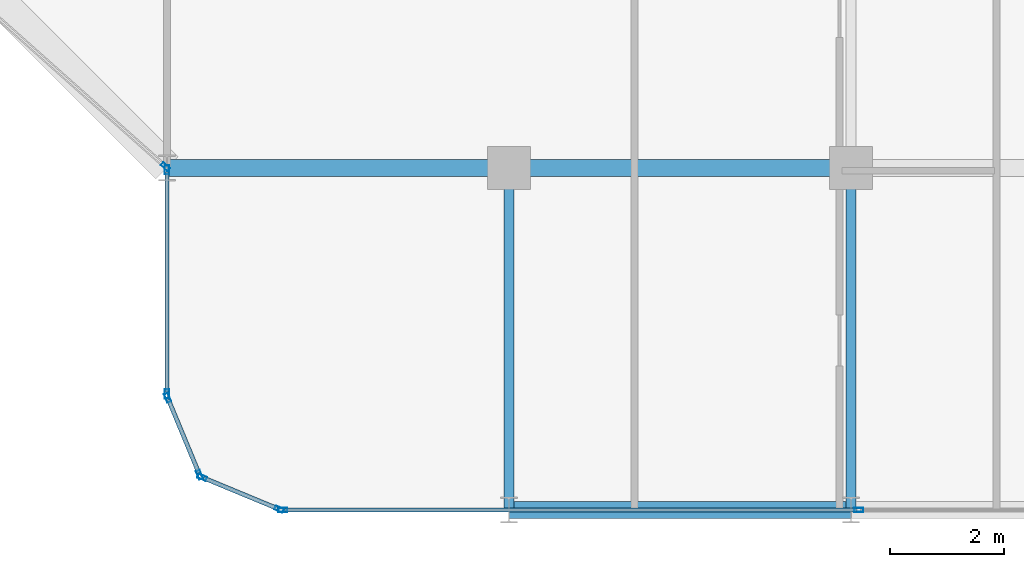
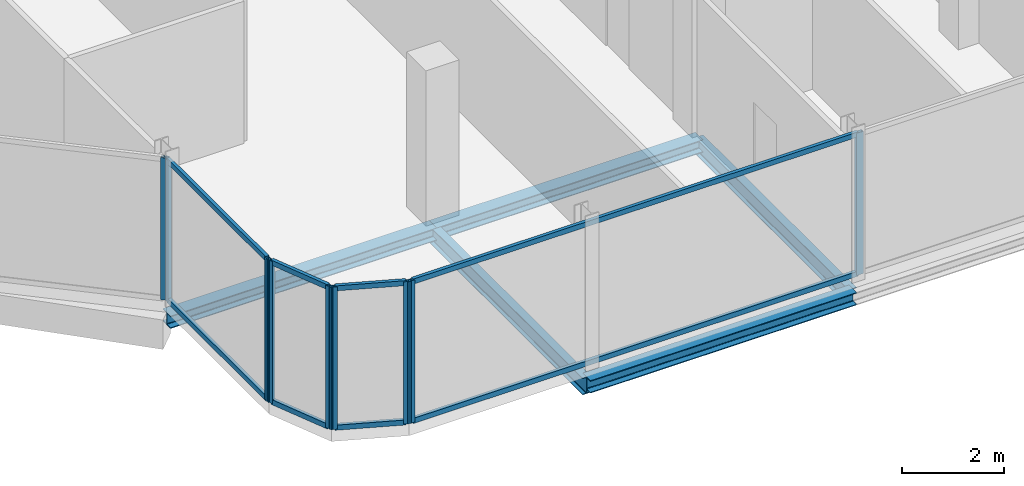
# One storey, part 6 of 29: 17 members, 5 beams, 5 elements without a shape of their own.
"""IFC4 building model written with IfcOpenShell, lengths in metres."""

from ifc_helpers import new_model, si_unit, direction, frame, origin, origin_2d, place, context, subcontext, project, spatial, hollow_rectangle, i_section, extrude, material, layer, layer_set, material_profile, profile_set, type_object, element, aggregate, save


model = new_model("IFC4")

# Units and contexts
model_context = context("Model", 3, precision=1e-05, world=origin(), true_north=direction((0.0, 1.0)))
body_context = subcontext(model_context, "Body", "Model", "MODEL_VIEW")
ifc_project = project(units=[si_unit("LENGTHUNIT", "METRE"), si_unit("AREAUNIT", "SQUARE_METRE"), si_unit("VOLUMEUNIT", "CUBIC_METRE"), si_unit("PLANEANGLEUNIT", "RADIAN"), si_unit("MASSUNIT", "GRAM", prefix="KILO")], contexts=[model_context])

# Site, building, storey
site_placement = place(None, origin())
site = spatial("IfcSite", under=ifc_project, at=site_placement, CompositionType="ELEMENT")
building_placement = place(site_placement, origin())
building = spatial("IfcBuilding", under=site, at=building_placement, Name="Keshet Zoharim Tower", CompositionType="ELEMENT")
storey_placement = place(building_placement, frame((0.0, 0.0, 222.800048828125)))
storey = spatial("IfcBuildingStorey", under=building, at=storey_placement, Name="L55", CompositionType="ELEMENT", Elevation=222.800048828125)

# Beams
ifc_material_1 = material(Name="Steel S355", Category="steel")
ifc_material_profile_1 = material_profile(ifc_material_1, i_section(OverallWidth=0.300048828125, OverallDepth=0.300048828125, WebThickness=0.010986328125, FlangeThickness=0.01904296875, FilletRadius=0.027099609375, at=origin_2d()), Name="HEB300")
ifc_profile_set_1 = profile_set([ifc_material_profile_1], Name="Steel S355")
beam_type_1 = type_object("IfcBeamType", Name="BM-PRI-HB300", PredefinedType="BEAM", material=ifc_profile_set_1)
for number, where, z_axis, x_axis, name in (
    (1, (27.0, 0.699951171875, -0.4599609375), (1.0, 0.0, 0.0), (0.0, 1.0, 0.0), "L55 Primary Girder X-001"),
    (2, (21.0, 6.699951171875, -0.4599609375), (1.0, 0.0, 0.0), (0.0, 1.0, 0.0), "L55 Primary Girder X-005"),
    (3, (27.0, 6.699951171875, -0.4599609375), (1.0, 0.0, 0.0), (0.0, 1.0, 0.0), "L55 Primary Girder X-006"),
):
    element("IfcBeam", number, at=place(storey_placement, frame(where, z_axis=z_axis, x_axis=x_axis)), inside=storey, type_object=beam_type_1, Name=name, PredefinedType="BEAM", context=body_context, shape_type="SweptSolid", body=[
        extrude(i_section(OverallWidth=0.300048828125, OverallDepth=0.300048828125, WebThickness=0.010986328125, FlangeThickness=0.01904296875, FilletRadius=0.027099609375, at=origin_2d()), origin(), (0.0, 0.0, 1.0), 6.0),
    ])
ifc_material_profile_2 = material_profile(ifc_material_1, i_section(OverallWidth=0.179931640625, OverallDepth=0.39990234375, WebThickness=0.008544921875, FlangeThickness=0.013427734375, FilletRadius=0.02099609375, at=origin_2d()), Name="IPE400")
ifc_profile_set_2 = profile_set([ifc_material_profile_2], Name="Steel S355")
beam_type_2 = type_object("IfcBeamType", Name="BM-PRI-IP400", PredefinedType="BEAM", material=ifc_profile_set_2)
for number, where, z_axis, x_axis, name in (
    (4, (27.0, 0.699951171875, -0.510009765625), (0.0, 1.0, 0.0), (-1.0, 0.0, 0.0), "L55 Primary Girder Y-004"),
    (5, (33.0, 0.699951171875, -0.510009765625), (0.0, 1.0, 0.0), (-1.0, 0.0, 0.0), "L55 Primary Girder Y-005"),
):
    element("IfcBeam", number, at=place(storey_placement, frame(where, z_axis=z_axis, x_axis=x_axis)), inside=storey, type_object=beam_type_2, Name=name, PredefinedType="BEAM", context=body_context, shape_type="SweptSolid", body=[
        extrude(i_section(OverallWidth=0.179931640625, OverallDepth=0.39990234375, WebThickness=0.008544921875, FlangeThickness=0.013427734375, FilletRadius=0.02099609375, at=origin_2d()), origin(), (0.0, 0.0, 1.0), 6.0),
    ])

# Curtain wall, members
ifc_material_2 = material(Name="Aluminium 6063-T6", Category="aluminium")
ifc_layer = layer(ifc_material_2, 0.139892578125)
ifc_layer_set = layer_set([ifc_layer], Name="Aluminium 6063-T6")
curtain_wall_type = type_object("IfcCurtainWallType", Name="CW-SYS-05", PredefinedType="NOTDEFINED", material=ifc_layer_set)
curtain_wall_1_placement = place(storey_placement, origin())
curtain_wall_1 = element("IfcCurtainWall", 6, at=curtain_wall_1_placement, inside=storey, type_object=curtain_wall_type, Name="L55 Unitised Curtain Wall 06 Part 3", PredefinedType="NOTDEFINED")
ifc_material_profile_3 = material_profile(ifc_material_2, hollow_rectangle(XDim=0.074951171875, YDim=0.159912109375, WallThickness=0.00390625, at=origin_2d()), Name="MUL-75x160")
ifc_profile_set_3 = profile_set([ifc_material_profile_3], Name="Aluminium 6063-T6")
member_type_1 = type_object("IfcMemberType", Name="CWM-M15", PredefinedType="MULLION", material=ifc_profile_set_3)
member_1_placement = place(storey_placement, frame((33.1376953125, 0.699951171875, 0.0), z_axis=(0.0, 0.0, 1.0), x_axis=(0.0, -1.0, 0.0)))
member_1 = element("IfcMember", 7, at=member_1_placement, type_object=member_type_1, Name="CW-05 mullion 2", PredefinedType="MULLION", context=body_context, shape_type="SweptSolid", body=[
    extrude(hollow_rectangle(XDim=0.074951171875, YDim=0.159912109375, WallThickness=0.00390625, at=origin_2d()), origin(), (0.0, 0.0, 1.0), 3.389892578125),
])
member_2_placement = place(storey_placement, frame((23.034912109375, 0.699951171875, 0.0), z_axis=(0.0, 0.0, 1.0), x_axis=(0.0, -1.0, 0.0)))
member_2 = element("IfcMember", 8, at=member_2_placement, type_object=member_type_1, Name="CW-05 mullion 3", PredefinedType="MULLION", context=body_context, shape_type="SweptSolid", body=[
    extrude(hollow_rectangle(XDim=0.074951171875, YDim=0.159912109375, WallThickness=0.00390625, at=origin_2d()), origin(), (0.0, 0.0, 1.0), 3.389892578125),
])

curtain_wall_2_placement = place(storey_placement, origin())
curtain_wall_2 = element("IfcCurtainWall", 9, at=curtain_wall_2_placement, inside=storey, type_object=curtain_wall_type, Name="L55 Unitised Curtain Wall 07", PredefinedType="NOTDEFINED")
member_3_placement = place(storey_placement, frame((22.9677734375, 0.71337890625, 0.0), z_axis=(0.0, 0.0, 1.0), x_axis=(-0.382851849847, -0.92380975372, 0.0)))
member_3 = element("IfcMember", 10, at=member_3_placement, type_object=member_type_1, Name="CW-05 mullion 1", PredefinedType="MULLION", context=body_context, shape_type="SweptSolid", body=[
    extrude(hollow_rectangle(XDim=0.074951171875, YDim=0.159912109375, WallThickness=0.00390625, at=origin_2d()), origin(), (0.0, 0.0, 1.0), 3.389892578125),
])
member_4_placement = place(storey_placement, frame((21.618408203125, 1.272705078125, 0.0), z_axis=(0.0, 0.0, 1.0), x_axis=(-0.382851849847, -0.92380975372, 0.0)))
member_4 = element("IfcMember", 11, at=member_4_placement, type_object=member_type_1, Name="CW-05 mullion 2", PredefinedType="MULLION", context=body_context, shape_type="SweptSolid", body=[
    extrude(hollow_rectangle(XDim=0.074951171875, YDim=0.159912109375, WallThickness=0.00390625, at=origin_2d()), origin(), (0.0, 0.0, 1.0), 3.389892578125),
])

curtain_wall_3_placement = place(storey_placement, origin())
curtain_wall_3 = element("IfcCurtainWall", 12, at=curtain_wall_3_placement, inside=storey, type_object=curtain_wall_type, Name="L55 Unitised Curtain Wall 08", PredefinedType="NOTDEFINED")
member_5_placement = place(storey_placement, frame((21.572509765625, 1.318359375, 0.0), z_axis=(0.0, 0.0, 1.0), x_axis=(-0.92380975372, -0.382851849847, 0.0)))
member_5 = element("IfcMember", 13, at=member_5_placement, type_object=member_type_1, Name="CW-05 mullion 1", PredefinedType="MULLION", context=body_context, shape_type="SweptSolid", body=[
    extrude(hollow_rectangle(XDim=0.074951171875, YDim=0.159912109375, WallThickness=0.00390625, at=origin_2d()), origin(), (0.0, 0.0, 1.0), 3.389892578125),
])
member_6_placement = place(storey_placement, frame((21.013427734375, 2.667724609375, 0.0), z_axis=(0.0, 0.0, 1.0), x_axis=(-0.92380975372, -0.382851849847, 0.0)))
member_6 = element("IfcMember", 14, at=member_6_placement, type_object=member_type_1, Name="CW-05 mullion 2", PredefinedType="MULLION", context=body_context, shape_type="SweptSolid", body=[
    extrude(hollow_rectangle(XDim=0.074951171875, YDim=0.159912109375, WallThickness=0.00390625, at=origin_2d()), origin(), (0.0, 0.0, 1.0), 3.389892578125),
])

curtain_wall_4_placement = place(storey_placement, origin())
curtain_wall_4 = element("IfcCurtainWall", 15, at=curtain_wall_4_placement, inside=storey, type_object=curtain_wall_type, Name="L55 Unitised Curtain Wall 09", PredefinedType="NOTDEFINED")
member_7_placement = place(storey_placement, frame((21.0, 2.735107421875, 0.0), z_axis=(0.0, 0.0, 1.0), x_axis=(-1.0, 0.0, 0.0)))
member_7 = element("IfcMember", 16, at=member_7_placement, type_object=member_type_1, Name="CW-05 mullion 1", PredefinedType="MULLION", context=body_context, shape_type="SweptSolid", body=[
    extrude(hollow_rectangle(XDim=0.074951171875, YDim=0.159912109375, WallThickness=0.00390625, at=origin_2d()), origin(), (0.0, 0.0, 1.0), 3.389892578125),
])
member_8_placement = place(storey_placement, frame((21.0, 6.6650390625, 0.0), z_axis=(0.0, 0.0, 1.0), x_axis=(-1.0, 0.0, 0.0)))
member_8 = element("IfcMember", 17, at=member_8_placement, type_object=member_type_1, Name="CW-05 mullion 2", PredefinedType="MULLION", context=body_context, shape_type="SweptSolid", body=[
    extrude(hollow_rectangle(XDim=0.074951171875, YDim=0.159912109375, WallThickness=0.00390625, at=origin_2d()), origin(), (0.0, 0.0, 1.0), 3.389892578125),
])

# Curtain wall, member
curtain_wall_5_placement = place(storey_placement, origin())
curtain_wall_5 = element("IfcCurtainWall", 18, at=curtain_wall_5_placement, inside=storey, type_object=curtain_wall_type, Name="L55 Unitised Curtain Wall 10", PredefinedType="NOTDEFINED")
member_9_placement = place(storey_placement, frame((20.973876953125, 6.72314453125, 0.0), z_axis=(0.0, 0.0, 1.0), x_axis=(-0.664363086114, -0.747409987764, 0.0)))
member_9 = element("IfcMember", 19, at=member_9_placement, type_object=member_type_1, Name="CW-05 mullion 1", PredefinedType="MULLION", context=body_context, shape_type="SweptSolid", body=[
    extrude(hollow_rectangle(XDim=0.074951171875, YDim=0.159912109375, WallThickness=0.00390625, at=origin_2d()), origin(), (0.0, 0.0, 1.0), 3.389892578125),
])
aggregate(curtain_wall_5, [member_9])

# Member
ifc_material_profile_4 = material_profile(ifc_material_2, hollow_rectangle(XDim=0.074951171875, YDim=0.1201171875, WallThickness=0.00390625, at=origin_2d()), Name="TRN-75x120")
ifc_profile_set_4 = profile_set([ifc_material_profile_4], Name="Aluminium 6063-T6")
member_type_2 = type_object("IfcMemberType", Name="CWT-T12", PredefinedType="USERDEFINED", material=ifc_profile_set_4)
member_10_placement = place(storey_placement, frame((33.1025390625, 0.699951171875, 0.034912109375), z_axis=(-1.0, 0.0, 0.0), x_axis=(0.0, -1.0, 0.0)))
member_10 = element("IfcMember", 20, at=member_10_placement, type_object=member_type_2, Name="CW-05 transom 2.1", ObjectType="TRANSOM", PredefinedType="USERDEFINED", context=body_context, shape_type="SweptSolid", body=[
    extrude(hollow_rectangle(XDim=0.074951171875, YDim=0.1201171875, WallThickness=0.00390625, at=origin_2d()), origin(), (0.0, 0.0, 1.0), 10.032470703125),
])

member_11_placement = place(storey_placement, frame((33.1025390625, 0.699951171875, 3.35498046875), z_axis=(-1.0, 0.0, 0.0), x_axis=(0.0, -1.0, 0.0)))
member_11 = element("IfcMember", 21, at=member_11_placement, type_object=member_type_2, Name="CW-05 transom 2.2", ObjectType="TRANSOM", PredefinedType="USERDEFINED", context=body_context, shape_type="SweptSolid", body=[
    extrude(hollow_rectangle(XDim=0.074951171875, YDim=0.1201171875, WallThickness=0.00390625, at=origin_2d()), origin(), (0.0, 0.0, 1.0), 10.032470703125),
])

aggregate(curtain_wall_1, [member_1, member_2, member_10, member_11])

member_12_placement = place(storey_placement, frame((22.935302734375, 0.726806640625, 0.034912109375), z_axis=(-0.92379209995, 0.382894445076, 0.0), x_axis=(-0.382894445076, -0.92379209995, 0.0)))
member_12 = element("IfcMember", 22, at=member_12_placement, type_object=member_type_2, Name="CW-05 transom 1.1", ObjectType="TRANSOM", PredefinedType="USERDEFINED", context=body_context, shape_type="SweptSolid", body=[
    extrude(hollow_rectangle(XDim=0.074951171875, YDim=0.1201171875, WallThickness=0.00390625, at=origin_2d()), origin(), (0.0, 0.0, 1.0), 1.390625),
])

member_13_placement = place(storey_placement, frame((22.935302734375, 0.726806640625, 3.35498046875), z_axis=(-0.92379209995, 0.382894445076, 0.0), x_axis=(-0.382894445076, -0.92379209995, 0.0)))
member_13 = element("IfcMember", 23, at=member_13_placement, type_object=member_type_2, Name="CW-05 transom 1.2", ObjectType="TRANSOM", PredefinedType="USERDEFINED", context=body_context, shape_type="SweptSolid", body=[
    extrude(hollow_rectangle(XDim=0.074951171875, YDim=0.1201171875, WallThickness=0.00390625, at=origin_2d()), origin(), (0.0, 0.0, 1.0), 1.390625),
])

aggregate(curtain_wall_2, [member_3, member_4, member_12, member_13])

member_14_placement = place(storey_placement, frame((21.55908203125, 1.3505859375, 0.034912109375), z_axis=(-0.382744609247, 0.923854189844, 0.0), x_axis=(-0.923854189844, -0.382744609247, 0.0)))
member_14 = element("IfcMember", 24, at=member_14_placement, type_object=member_type_2, Name="CW-05 transom 1.1", ObjectType="TRANSOM", PredefinedType="USERDEFINED", context=body_context, shape_type="SweptSolid", body=[
    extrude(hollow_rectangle(XDim=0.074951171875, YDim=0.1201171875, WallThickness=0.00390625, at=origin_2d()), origin(), (0.0, 0.0, 1.0), 1.390625),
])

member_15_placement = place(storey_placement, frame((21.55908203125, 1.3505859375, 3.35498046875), z_axis=(-0.382744609247, 0.923854189844, 0.0), x_axis=(-0.923854189844, -0.382744609247, 0.0)))
member_15 = element("IfcMember", 25, at=member_15_placement, type_object=member_type_2, Name="CW-05 transom 1.2", ObjectType="TRANSOM", PredefinedType="USERDEFINED", context=body_context, shape_type="SweptSolid", body=[
    extrude(hollow_rectangle(XDim=0.074951171875, YDim=0.1201171875, WallThickness=0.00390625, at=origin_2d()), origin(), (0.0, 0.0, 1.0), 1.390625),
])

aggregate(curtain_wall_3, [member_5, member_6, member_14, member_15])

member_16_placement = place(storey_placement, frame((21.0, 2.77001953125, 0.034912109375), z_axis=(0.0, 1.0, 0.0), x_axis=(-1.0, 0.0, 0.0)))
member_16 = element("IfcMember", 26, at=member_16_placement, type_object=member_type_2, Name="CW-05 transom 1.1", ObjectType="TRANSOM", PredefinedType="USERDEFINED", context=body_context, shape_type="SweptSolid", body=[
    extrude(hollow_rectangle(XDim=0.074951171875, YDim=0.1201171875, WallThickness=0.00390625, at=origin_2d()), origin(), (0.0, 0.0, 1.0), 3.85986328125),
])

member_17_placement = place(storey_placement, frame((21.0, 2.77001953125, 3.35498046875), z_axis=(0.0, 1.0, 0.0), x_axis=(-1.0, 0.0, 0.0)))
member_17 = element("IfcMember", 27, at=member_17_placement, type_object=member_type_2, Name="CW-05 transom 1.2", ObjectType="TRANSOM", PredefinedType="USERDEFINED", context=body_context, shape_type="SweptSolid", body=[
    extrude(hollow_rectangle(XDim=0.074951171875, YDim=0.1201171875, WallThickness=0.00390625, at=origin_2d()), origin(), (0.0, 0.0, 1.0), 3.85986328125),
])

aggregate(curtain_wall_4, [member_7, member_8, member_16, member_17])

save(model, "model.ifc")
